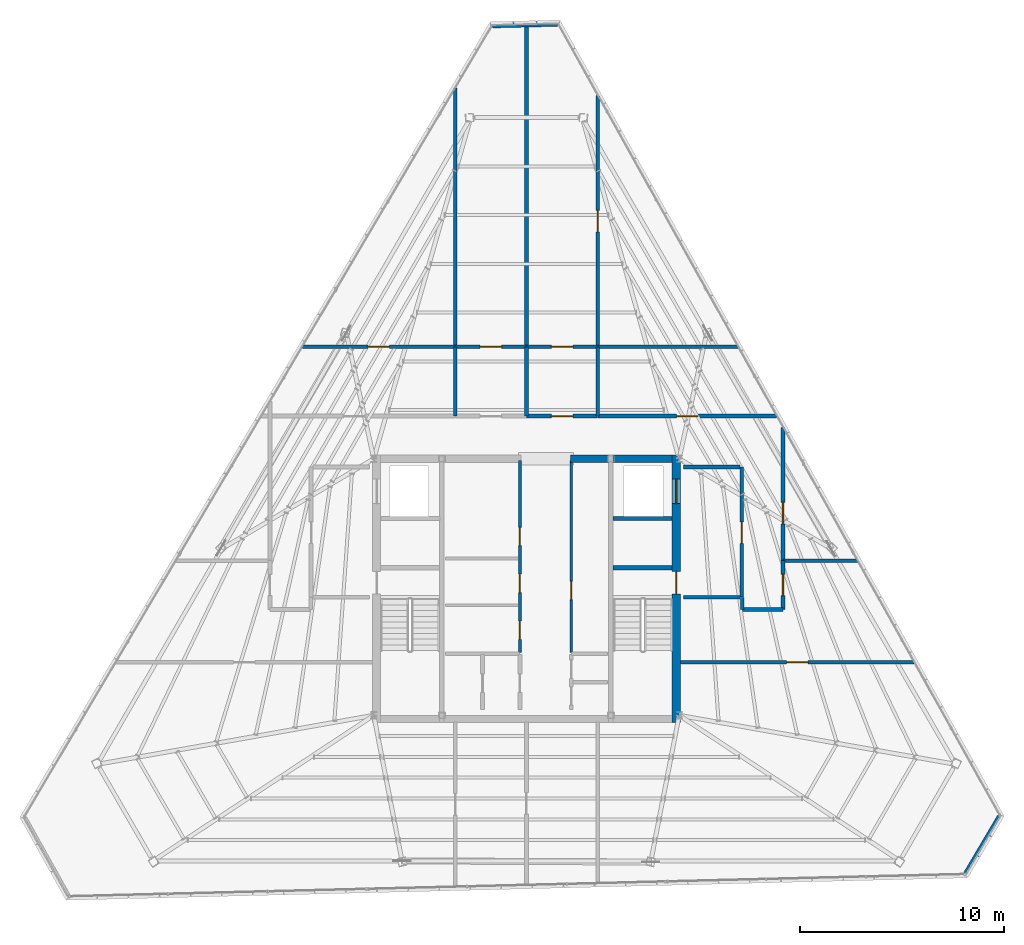
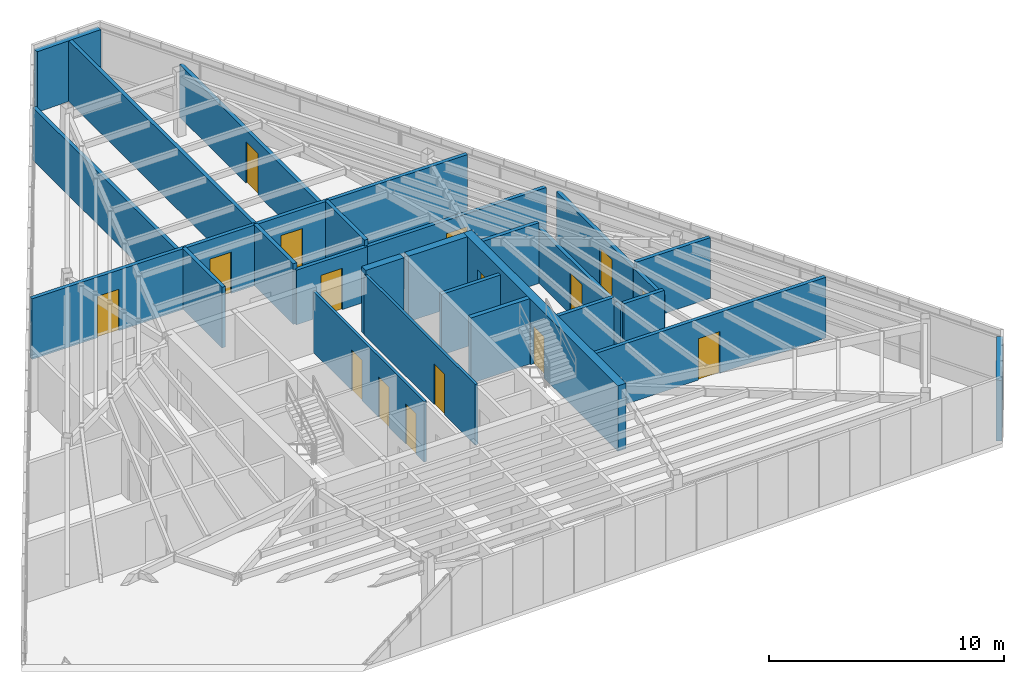
# One storey, part 44 of 48: 30 walls, 16 doors, 16 openings.
"""IFC4 building model written with IfcOpenShell, lengths in metres."""

from ifc_helpers import new_model, si_unit, direction, frame, frame_2d, origin, place, context, subcontext, project, spatial, rectangle, extrude, material, layer, layer_set, type_object, element, fill, save


model = new_model("IFC4")

# Units and contexts
model_context = context("Model", 3, precision=1e-05, world=origin(), true_north=direction((0.0, 1.0)))
body_context = subcontext(model_context, "Body", "Model", "MODEL_VIEW")
ifc_project = project(units=[si_unit("LENGTHUNIT", "METRE"), si_unit("AREAUNIT", "SQUARE_METRE"), si_unit("VOLUMEUNIT", "CUBIC_METRE"), si_unit("PLANEANGLEUNIT", "RADIAN"), si_unit("MASSUNIT", "GRAM", prefix="KILO")], contexts=[model_context])

# Site, building, storey
site_placement = place(None, origin())
site = spatial("IfcSite", under=ifc_project, at=site_placement, CompositionType="ELEMENT")
building_placement = place(site_placement, origin())
building = spatial("IfcBuilding", under=site, at=building_placement, Name="Caelisora Broadcast Tower", CompositionType="ELEMENT")
storey_placement = place(building_placement, frame((0.0, 0.0, 300.0)))
storey = spatial("IfcBuildingStorey", under=building, at=storey_placement, Name="L79", CompositionType="ELEMENT", Elevation=300.0)

# Wall, openings, doors
ifc_material_1 = material(Name="Concrete 40 MPa (AS 3600 N40)", Category="concrete")
ifc_layer_1 = layer(ifc_material_1, 0.39990234375, Name="Concrete 40 MPa (AS 3600 N40)")
ifc_layer_set_1 = layer_set([ifc_layer_1], Name="Concrete 40 MPa (AS 3600 N40)")
wall_type_1 = type_object("IfcWallType", Name="CW3", PredefinedType="SHEAR", material=ifc_layer_set_1)
wall_1_placement = place(storey_placement, frame((45.360107421875, 17.050048828125, 0.0), z_axis=(0.0, 0.0, 1.0), x_axis=(0.0, 1.0, 0.0)))
wall_1 = element("IfcWall", 1, at=wall_1_placement, inside=storey, type_object=wall_type_1, Name="L79 core shear wall CW3", PredefinedType="SHEAR", context=body_context, shape_type="SweptSolid", body=[
    extrude(rectangle(XDim=13.125, YDim=0.39990234375, at=frame_2d((6.5625, 0.0))), origin(), (0.0, 0.0, 1.0), 3.39990234375),
])
opening_1_placement = place(wall_1_placement, frame((6.300048828125, 0.0, 0.0)))
opening_1 = element("IfcOpeningElement", 2, at=opening_1_placement, cuts=wall_1, Name="Opening FD04", PredefinedType="OPENING", context=body_context, shape_type="SweptSolid", body=[
    extrude(rectangle(XDim=1.1201171875, YDim=2.14990234375, at=frame_2d((0.56005859375, 1.074951171875))), frame((0.0, 0.2119140625, 0.0), z_axis=(0.0, -1.0, 0.0), x_axis=(1.0, 0.0, 0.0)), (0.0, 0.0, 1.0), 0.423828125),
])
opening_2_placement = place(wall_1_placement, frame((10.75, 0.0, 0.0)))
opening_2 = element("IfcOpeningElement", 3, at=opening_2_placement, cuts=wall_1, Name="Opening LD04", PredefinedType="OPENING", context=body_context, shape_type="SweptSolid", body=[
    extrude(rectangle(XDim=1.199951171875, YDim=2.199951171875, at=frame_2d((0.60009765625, 1.10009765625))), frame((0.0, 0.2119140625, 0.0), z_axis=(0.0, -1.0, 0.0), x_axis=(1.0, 0.0, 0.0)), (0.0, 0.0, 1.0), 0.423828125),
])
ifc_material_2 = material(Name="Pressurised Fire-Isolated Stair Door", Category="steel")
door_type_1 = type_object("IfcDoorType", Name="FD04", OperationType="NOTDEFINED", PredefinedType="DOOR", material=ifc_material_2)
door_1_placement = place(opening_1_placement, origin())
door_1 = element("IfcDoor", 4, at=door_1_placement, inside=storey, type_object=door_type_1, Name="L79 door FD04 (L79-DR-ST2)", OperationType="SINGLE_SWING_RIGHT", OverallHeight=2.14990234375, OverallWidth=1.1201171875, PredefinedType="DOOR", context=body_context, shape_type="SweptSolid", body=[
    extrude(rectangle(XDim=1.1201171875, YDim=2.14990234375, at=frame_2d((0.56005859375, 1.074951171875))), frame((0.0, 0.02490234375, 0.0), z_axis=(0.0, -1.0, 0.0), x_axis=(1.0, 0.0, 0.0)), (0.0, 0.0, 1.0), 0.050048828125),
])
fill(opening_1, door_1)
ifc_material_3 = material(Name="Emergency Firefighting Lift Sliding Landing Door", Category="steel")
door_type_2 = type_object("IfcDoorType", Name="LD04", OperationType="NOTDEFINED", PredefinedType="DOOR", material=ifc_material_3)
door_2_placement = place(opening_2_placement, origin())
door_2 = element("IfcDoor", 5, at=door_2_placement, inside=storey, type_object=door_type_2, Name="L79 door LD04 (L79-LD-FFL2)", OperationType="SLIDING_TO_RIGHT", OverallHeight=2.199951171875, OverallWidth=1.199951171875, PredefinedType="DOOR", context=body_context, shape_type="SweptSolid", body=[
    extrude(rectangle(XDim=1.199951171875, YDim=2.199951171875, at=frame_2d((0.60009765625, 1.10009765625))), frame((0.0, 0.02490234375, 0.0), z_axis=(0.0, -1.0, 0.0), x_axis=(1.0, 0.0, 0.0)), (0.0, 0.0, 1.0), 0.050048828125),
])
fill(opening_2, door_2)

# Walls
ifc_layer_2 = layer(ifc_material_1, 0.35009765625, Name="Concrete 40 MPa (AS 3600 N40)")
ifc_layer_set_2 = layer_set([ifc_layer_2], Name="Concrete 40 MPa (AS 3600 N40)")
wall_type_2 = type_object("IfcWallType", Name="CW6", PredefinedType="SHEAR", material=ifc_layer_set_2)
wall_2_placement = place(storey_placement, frame((40.159912109375, 30.0, 0.0), z_axis=(0.0, 0.0, 1.0), x_axis=(1.0, 0.0, 0.0)))
element("IfcWall", 6, at=wall_2_placement, inside=storey, type_object=wall_type_2, Name="L79 core shear wall CW6", PredefinedType="SHEAR", context=body_context, shape_type="SweptSolid", body=[
    extrude(rectangle(XDim=1.880126953125, YDim=0.35009765625, at=frame_2d((0.93994140625, 0.0))), origin(), (0.0, 0.0, 1.0), 3.39990234375),
])
wall_3_placement = place(storey_placement, frame((42.260009765625, 30.0, 0.0), z_axis=(0.0, 0.0, 1.0), x_axis=(1.0, 0.0, 0.0)))
element("IfcWall", 7, at=wall_3_placement, inside=storey, type_object=wall_type_2, Name="L79 core shear wall CW6", PredefinedType="SHEAR", context=body_context, shape_type="SweptSolid", body=[
    extrude(rectangle(XDim=2.89990234375, YDim=0.35009765625, at=frame_2d((1.449951171875, 0.0))), origin(), (0.0, 0.0, 1.0), 3.39990234375),
])
ifc_material_4 = material(Name="Concrete 50 MPa (AS 3600 S50)", Category="concrete")
ifc_layer_3 = layer(ifc_material_4, 0.219970703125, Name="Concrete 50 MPa (AS 3600 S50)")
ifc_layer_set_3 = layer_set([ifc_layer_3], Name="Concrete 50 MPa (AS 3600 S50)")
wall_type_3 = type_object("IfcWallType", Name="CW7", PredefinedType="SHEAR", material=ifc_layer_set_3)
wall_4_placement = place(storey_placement, frame((42.260009765625, 24.639892578125, 0.0), z_axis=(0.0, 0.0, 1.0), x_axis=(1.0, 0.0, 0.0)))
element("IfcWall", 8, at=wall_4_placement, inside=storey, type_object=wall_type_3, Name="L79 core shear wall CW7", PredefinedType="SHEAR", context=body_context, shape_type="SweptSolid", body=[
    extrude(rectangle(XDim=2.89990234375, YDim=0.219970703125, at=frame_2d((1.449951171875, 0.0))), origin(), (0.0, 0.0, 1.0), 3.39990234375),
])
ifc_material_5 = material(Name="Fire-Rated Acoustic Plant Enclosure Wall", Category="masonry")
ifc_layer_4 = layer(ifc_material_5, 0.260009765625, Name="Fire-Rated Acoustic Plant Enclosure Wall")
ifc_layer_set_4 = layer_set([ifc_layer_4], Name="Fire-Rated Acoustic Plant Enclosure Wall")
wall_type_4 = type_object("IfcWallType", Name="EW2", PredefinedType="STANDARD", material=ifc_layer_set_4)
wall_5_placement = place(storey_placement, frame((61.247802734375, 12.42431640625, 0.0), z_axis=(0.0, 0.0, 1.0), x_axis=(-0.508979053277, -0.860778905019, 0.0)))
element("IfcWall", 9, at=wall_5_placement, inside=storey, type_object=wall_type_4, Name="L79 exterior envelope wall EW2", PredefinedType="STANDARD", context=body_context, shape_type="SweptSolid", body=[
    extrude(rectangle(XDim=3.26025390625, YDim=0.260009765625, at=frame_2d((1.630126953125, 0.0))), origin(), (0.0, 0.0, 1.0), 3.14990234375),
])
wall_6_placement = place(storey_placement, frame((36.341064453125, 51.291748046875, 0.0), z_axis=(0.0, 0.0, 1.0), x_axis=(0.999692817097, 0.024784500085, 0.0)))
element("IfcWall", 10, at=wall_6_placement, inside=storey, type_object=wall_type_4, Name="L79 exterior envelope wall EW2", PredefinedType="STANDARD", context=body_context, shape_type="SweptSolid", body=[
    extrude(rectangle(XDim=3.171875, YDim=0.260009765625, at=frame_2d((1.5859375, 0.0))), origin(), (0.0, 0.0, 1.0), 3.14990234375),
])

# Wall, opening, door
ifc_material_6 = material(Name="Fire-Rated Gypsum Shaft and Compartment Wall", Category="gypsum")
ifc_layer_5 = layer(ifc_material_6, 0.179931640625, Name="Fire-Rated Gypsum Shaft and Compartment Wall")
ifc_layer_set_5 = layer_set([ifc_layer_5], Name="Fire-Rated Gypsum Shaft and Compartment Wall")
wall_type_5 = type_object("IfcWallType", Name="PW2", PredefinedType="PARTITIONING", material=ifc_layer_set_5)
wall_7_placement = place(storey_placement, frame((48.580078125, 23.199951171875, 0.0), z_axis=(0.0, 0.0, 1.0), x_axis=(0.0, 1.0, 0.0)))
wall_7 = element("IfcWall", 11, at=wall_7_placement, inside=storey, type_object=wall_type_5, Name="L79 fire compartment wall PW2", PredefinedType="PARTITIONING", context=body_context, shape_type="SweptSolid", body=[
    extrude(rectangle(XDim=6.400146484375, YDim=0.179931640625, at=frame_2d((3.2001953125, 0.0))), origin(), (0.0, 0.0, 1.0), 2.8349609375),
])
opening_3_placement = place(wall_7_placement, frame((2.64990234375, 0.0, 0.0)))
opening_3 = element("IfcOpeningElement", 12, at=opening_3_placement, cuts=wall_7, Name="Opening FD02", PredefinedType="OPENING", context=body_context, shape_type="SweptSolid", body=[
    extrude(rectangle(XDim=1.050048828125, YDim=2.14990234375, at=frame_2d((0.52490234375, 1.074951171875))), frame((0.0, 0.10205078125, 0.0), z_axis=(0.0, -1.0, 0.0), x_axis=(1.0, 0.0, 0.0)), (0.0, 0.0, 1.0), 0.203857421875),
])
ifc_material_7 = material(Name="Single-Leaf Steel Fire Lobby Door", Category="steel")
door_type_3 = type_object("IfcDoorType", Name="FD02", OperationType="NOTDEFINED", PredefinedType="DOOR", material=ifc_material_7)
door_3_placement = place(opening_3_placement, origin())
door_3 = element("IfcDoor", 13, at=door_3_placement, inside=storey, type_object=door_type_3, Name="L79 door FD02 (L79-DR-P04D1)", OperationType="SINGLE_SWING_LEFT", OverallHeight=2.14990234375, OverallWidth=1.050048828125, PredefinedType="DOOR", context=body_context, shape_type="SweptSolid", body=[
    extrude(rectangle(XDim=1.050048828125, YDim=2.14990234375, at=frame_2d((0.52490234375, 1.074951171875))), frame((0.0, 0.02490234375, 0.0), z_axis=(0.0, -1.0, 0.0), x_axis=(1.0, 0.0, 0.0)), (0.0, 0.0, 1.0), 0.050048828125),
])
fill(opening_3, door_3)

# Walls
for number, where, z_axis, x_axis, name in (
    (14, (45.719970703125, 23.199951171875, 0.0), (0.0, 0.0, 1.0), (1.0, 0.0, 0.0), "L79 fire compartment wall PW2"),
    (15, (45.719970703125, 29.60009765625, 0.0), (0.0, 0.0, 1.0), (1.0, 0.0, 0.0), "L79 fire compartment wall PW2"),
):
    element("IfcWall", number, at=place(storey_placement, frame(where, z_axis=z_axis, x_axis=x_axis)), inside=storey, type_object=wall_type_5, Name=name, PredefinedType="PARTITIONING", context=body_context, shape_type="SweptSolid", body=[
        extrude(rectangle(XDim=2.760009765625, YDim=0.179931640625, at=frame_2d((1.3798828125, 0.0))), origin(), (0.0, 0.0, 1.0), 3.14990234375),
    ])
wall_8_placement = place(storey_placement, frame((42.239990234375, 27.070068359375, 0.0), z_axis=(0.0, 0.0, 1.0), x_axis=(1.0, 0.0, 0.0)))
element("IfcWall", 16, at=wall_8_placement, inside=storey, type_object=wall_type_5, Name="L79 fire compartment wall PW2", PredefinedType="PARTITIONING", context=body_context, shape_type="SweptSolid", body=[
    extrude(rectangle(XDim=2.89990234375, YDim=0.179931640625, at=frame_2d((1.449951171875, 0.0))), origin(), (0.0, 0.0, 1.0), 3.14990234375),
])
wall_9_placement = place(storey_placement, frame((38.0, 35.5048828125, 0.0), z_axis=(0.0, 0.0, 1.0), x_axis=(0.0, 1.0, 0.0)))
element("IfcWall", 17, at=wall_9_placement, inside=storey, type_object=wall_type_5, Name="L79 fire compartment wall PW2", PredefinedType="PARTITIONING", context=body_context, shape_type="SweptSolid", body=[
    extrude(rectangle(XDim=15.815185546875, YDim=0.179931640625, at=frame_2d((7.90771484375, 0.0))), origin(), (0.0, 0.0, 1.0), 3.14990234375),
])
wall_10_placement = place(storey_placement, frame((34.5, 35.5048828125, 0.0), z_axis=(0.0, 0.0, 1.0), x_axis=(0.0, 1.0, 0.0)))
element("IfcWall", 18, at=wall_10_placement, inside=storey, type_object=wall_type_5, Name="L79 fire compartment wall PW2", PredefinedType="PARTITIONING", context=body_context, shape_type="SweptSolid", body=[
    extrude(rectangle(XDim=12.705078125, YDim=0.179931640625, at=frame_2d((6.3525390625, 0.0))), origin(), (0.0, 0.0, 1.0), 2.735107421875),
])

# Wall, opening, door
wall_11_placement = place(storey_placement, frame((41.5, 35.5048828125, 0.0), z_axis=(0.0, 0.0, 1.0), x_axis=(0.0, 1.0, 0.0)))
wall_11 = element("IfcWall", 19, at=wall_11_placement, inside=storey, type_object=wall_type_5, Name="L79 fire compartment wall PW2", PredefinedType="PARTITIONING", context=body_context, shape_type="SweptSolid", body=[
    extrude(rectangle(XDim=12.335205078125, YDim=0.179931640625, at=frame_2d((6.16748046875, 0.0))), origin(), (0.0, 0.0, 1.0), 2.735107421875),
])
opening_4_placement = place(wall_11_placement, frame((5.64306640625, 0.0, 0.0)))
opening_4 = element("IfcOpeningElement", 20, at=opening_4_placement, cuts=wall_11, Name="Opening FD02", PredefinedType="OPENING", context=body_context, shape_type="SweptSolid", body=[
    extrude(rectangle(XDim=1.050048828125, YDim=2.14990234375, at=frame_2d((0.52490234375, 1.074951171875))), frame((0.0, 0.10205078125, 0.0), z_axis=(0.0, -1.0, 0.0), x_axis=(1.0, 0.0, 0.0)), (0.0, 0.0, 1.0), 0.203857421875),
])
door_4_placement = place(opening_4_placement, origin())
door_4 = element("IfcDoor", 21, at=door_4_placement, inside=storey, type_object=door_type_3, Name="L79 door FD02 (L79-DR-P22D1)", OperationType="SINGLE_SWING_LEFT", OverallHeight=2.14990234375, OverallWidth=1.050048828125, PredefinedType="DOOR", context=body_context, shape_type="SweptSolid", body=[
    extrude(rectangle(XDim=1.050048828125, YDim=2.14990234375, at=frame_2d((0.52490234375, 1.074951171875))), frame((0.0, 0.02490234375, 0.0), z_axis=(0.0, -1.0, 0.0), x_axis=(1.0, 0.0, 0.0)), (0.0, 0.0, 1.0), 0.050048828125),
])
fill(opening_4, door_4)

wall_12_placement = place(storey_placement, frame((45.554931640625, 20.0, 0.0), z_axis=(0.0, 0.0, 1.0), x_axis=(1.0, 0.0, 0.0)))
wall_12 = element("IfcWall", 22, at=wall_12_placement, inside=storey, type_object=wall_type_5, Name="L79 fire compartment wall PW2", PredefinedType="PARTITIONING", context=body_context, shape_type="SweptSolid", body=[
    extrude(rectangle(XDim=11.485107421875, YDim=0.179931640625, at=frame_2d((5.74267578125, 0.0))), origin(), (0.0, 0.0, 1.0), 3.14990234375),
])
opening_5_placement = place(wall_12_placement, frame((5.217041015625, 0.0, 0.0)))
opening_5 = element("IfcOpeningElement", 23, at=opening_5_placement, cuts=wall_12, Name="Opening FD02", PredefinedType="OPENING", context=body_context, shape_type="SweptSolid", body=[
    extrude(rectangle(XDim=1.050048828125, YDim=2.14990234375, at=frame_2d((0.52490234375, 1.074951171875))), frame((0.0, 0.10205078125, 0.0), z_axis=(0.0, -1.0, 0.0), x_axis=(1.0, 0.0, 0.0)), (0.0, 0.0, 1.0), 0.203857421875),
])
door_5_placement = place(opening_5_placement, origin())
door_5 = element("IfcDoor", 24, at=door_5_placement, inside=storey, type_object=door_type_3, Name="L79 door FD02 (L79-DR-P23D1)", OperationType="SINGLE_SWING_RIGHT", OverallHeight=2.14990234375, OverallWidth=1.050048828125, PredefinedType="DOOR", context=body_context, shape_type="SweptSolid", body=[
    extrude(rectangle(XDim=1.050048828125, YDim=2.14990234375, at=frame_2d((0.52490234375, 1.074951171875))), frame((0.0, 0.02490234375, 0.0), z_axis=(0.0, -1.0, 0.0), x_axis=(1.0, 0.0, 0.0)), (0.0, 0.0, 1.0), 0.050048828125),
])
fill(opening_5, door_5)

wall_13_placement = place(storey_placement, frame((41.5048828125, 32.10009765625, 0.0), z_axis=(0.0, 0.0, 1.0), x_axis=(1.0, 0.0, 0.0)))
wall_13 = element("IfcWall", 25, at=wall_13_placement, inside=storey, type_object=wall_type_5, Name="L79 fire compartment wall PW2", PredefinedType="PARTITIONING", context=body_context, shape_type="SweptSolid", body=[
    extrude(rectangle(XDim=8.78515625, YDim=0.179931640625, at=frame_2d((4.392578125, 0.0))), origin(), (0.0, 0.0, 1.0), 2.8349609375),
])
opening_6_placement = place(wall_13_placement, frame((3.866943359375, 0.0, 0.0)))
opening_6 = element("IfcOpeningElement", 26, at=opening_6_placement, cuts=wall_13, Name="Opening FD02", PredefinedType="OPENING", context=body_context, shape_type="SweptSolid", body=[
    extrude(rectangle(XDim=1.050048828125, YDim=2.14990234375, at=frame_2d((0.52490234375, 1.074951171875))), frame((0.0, 0.10205078125, 0.0), z_axis=(0.0, -1.0, 0.0), x_axis=(1.0, 0.0, 0.0)), (0.0, 0.0, 1.0), 0.203857421875),
])
door_6_placement = place(opening_6_placement, origin())
door_6 = element("IfcDoor", 27, at=door_6_placement, inside=storey, type_object=door_type_3, Name="L79 door FD02 (L79-DR-P25D1)", OperationType="SINGLE_SWING_RIGHT", OverallHeight=2.14990234375, OverallWidth=1.050048828125, PredefinedType="DOOR", context=body_context, shape_type="SweptSolid", body=[
    extrude(rectangle(XDim=1.050048828125, YDim=2.14990234375, at=frame_2d((0.52490234375, 1.074951171875))), frame((0.0, 0.02490234375, 0.0), z_axis=(0.0, -1.0, 0.0), x_axis=(1.0, 0.0, 0.0)), (0.0, 0.0, 1.0), 0.050048828125),
])
fill(opening_6, door_6)

wall_14_placement = place(storey_placement, frame((26.989990234375, 35.5, 0.0), z_axis=(0.0, 0.0, 1.0), x_axis=(1.0, 0.0, 0.0)))
wall_14 = element("IfcWall", 28, at=wall_14_placement, inside=storey, type_object=wall_type_5, Name="L79 fire compartment wall PW2", PredefinedType="PARTITIONING", context=body_context, shape_type="SweptSolid", body=[
    extrude(rectangle(XDim=7.505126953125, YDim=0.179931640625, at=frame_2d((3.75244140625, 0.0))), origin(), (0.0, 0.0, 1.0), 3.14990234375),
])
opening_7_placement = place(wall_14_placement, frame((3.22705078125, 0.0, 0.0)))
opening_7 = element("IfcOpeningElement", 29, at=opening_7_placement, cuts=wall_14, Name="Opening FD02", PredefinedType="OPENING", context=body_context, shape_type="SweptSolid", body=[
    extrude(rectangle(XDim=1.050048828125, YDim=2.14990234375, at=frame_2d((0.52490234375, 1.074951171875))), frame((0.0, 0.10205078125, 0.0), z_axis=(0.0, -1.0, 0.0), x_axis=(1.0, 0.0, 0.0)), (0.0, 0.0, 1.0), 0.203857421875),
])
door_7_placement = place(opening_7_placement, origin())
door_7 = element("IfcDoor", 30, at=door_7_placement, inside=storey, type_object=door_type_3, Name="L79 door FD02 (L79-DR-P29D1)", OperationType="SINGLE_SWING_LEFT", OverallHeight=2.14990234375, OverallWidth=1.050048828125, PredefinedType="DOOR", context=body_context, shape_type="SweptSolid", body=[
    extrude(rectangle(XDim=1.050048828125, YDim=2.14990234375, at=frame_2d((0.52490234375, 1.074951171875))), frame((0.0, 0.02490234375, 0.0), z_axis=(0.0, -1.0, 0.0), x_axis=(1.0, 0.0, 0.0)), (0.0, 0.0, 1.0), 0.050048828125),
])
fill(opening_7, door_7)

# Wall
wall_15_placement = place(storey_placement, frame((41.5048828125, 35.5, 0.0), z_axis=(0.0, 0.0, 1.0), x_axis=(1.0, 0.0, 0.0)))
element("IfcWall", 31, at=wall_15_placement, inside=storey, type_object=wall_type_5, Name="L79 fire compartment wall PW2", PredefinedType="PARTITIONING", context=body_context, shape_type="SweptSolid", body=[
    extrude(rectangle(XDim=6.885009765625, YDim=0.179931640625, at=frame_2d((3.4423828125, 0.0))), origin(), (0.0, 0.0, 1.0), 3.14990234375),
])

# Wall, opening, door
wall_16_placement = place(storey_placement, frame((50.60009765625, 25.0048828125, 0.0), z_axis=(0.0, 0.0, 1.0), x_axis=(0.0, 1.0, 0.0)))
wall_16 = element("IfcWall", 32, at=wall_16_placement, inside=storey, type_object=wall_type_5, Name="L79 fire compartment wall PW2", PredefinedType="PARTITIONING", context=body_context, shape_type="SweptSolid", body=[
    extrude(rectangle(XDim=6.53515625, YDim=0.179931640625, at=frame_2d((3.267578125, 0.0))), origin(), (0.0, 0.0, 1.0), 2.8349609375),
])
opening_8_placement = place(wall_16_placement, frame((1.800048828125, 0.0, 0.0)))
opening_8 = element("IfcOpeningElement", 33, at=opening_8_placement, cuts=wall_16, Name="Opening FD02", PredefinedType="OPENING", context=body_context, shape_type="SweptSolid", body=[
    extrude(rectangle(XDim=1.050048828125, YDim=2.14990234375, at=frame_2d((0.52490234375, 1.074951171875))), frame((0.0, 0.10205078125, 0.0), z_axis=(0.0, -1.0, 0.0), x_axis=(1.0, 0.0, 0.0)), (0.0, 0.0, 1.0), 0.203857421875),
])
door_8_placement = place(opening_8_placement, origin())
door_8 = element("IfcDoor", 34, at=door_8_placement, inside=storey, type_object=door_type_3, Name="L79 door FD02 (L79-DR-P32D1)", OperationType="SINGLE_SWING_RIGHT", OverallHeight=2.14990234375, OverallWidth=1.050048828125, PredefinedType="DOOR", context=body_context, shape_type="SweptSolid", body=[
    extrude(rectangle(XDim=1.050048828125, YDim=2.14990234375, at=frame_2d((0.52490234375, 1.074951171875))), frame((0.0, 0.02490234375, 0.0), z_axis=(0.0, -1.0, 0.0), x_axis=(1.0, 0.0, 0.0)), (0.0, 0.0, 1.0), 0.050048828125),
])
fill(opening_8, door_8)

# Wall
wall_17_placement = place(storey_placement, frame((50.60498046875, 25.0, 0.0), z_axis=(0.0, 0.0, 1.0), x_axis=(1.0, 0.0, 0.0)))
element("IfcWall", 35, at=wall_17_placement, inside=storey, type_object=wall_type_5, Name="L79 fire compartment wall PW2", PredefinedType="PARTITIONING", context=body_context, shape_type="SweptSolid", body=[
    extrude(rectangle(XDim=3.64501953125, YDim=0.179931640625, at=frame_2d((1.822509765625, 0.0))), origin(), (0.0, 0.0, 1.0), 3.14990234375),
])

# Wall, opening, door
wall_18_placement = place(storey_placement, frame((38.0048828125, 32.10009765625, 0.0), z_axis=(0.0, 0.0, 1.0), x_axis=(1.0, 0.0, 0.0)))
wall_18 = element("IfcWall", 36, at=wall_18_placement, inside=storey, type_object=wall_type_5, Name="L79 fire compartment wall PW2", PredefinedType="PARTITIONING", context=body_context, shape_type="SweptSolid", body=[
    extrude(rectangle(XDim=3.490234375, YDim=0.179931640625, at=frame_2d((1.7451171875, 0.0))), origin(), (0.0, 0.0, 1.0), 2.8349609375),
])
opening_9_placement = place(wall_18_placement, frame((1.219970703125, 0.0, 0.0)))
opening_9 = element("IfcOpeningElement", 37, at=opening_9_placement, cuts=wall_18, Name="Opening FD02", PredefinedType="OPENING", context=body_context, shape_type="SweptSolid", body=[
    extrude(rectangle(XDim=1.050048828125, YDim=2.14990234375, at=frame_2d((0.52490234375, 1.074951171875))), frame((0.0, 0.10205078125, 0.0), z_axis=(0.0, -1.0, 0.0), x_axis=(1.0, 0.0, 0.0)), (0.0, 0.0, 1.0), 0.203857421875),
])
door_9_placement = place(opening_9_placement, origin())
door_9 = element("IfcDoor", 38, at=door_9_placement, inside=storey, type_object=door_type_3, Name="L79 door FD02 (L79-DR-P36D1)", OperationType="SINGLE_SWING_RIGHT", OverallHeight=2.14990234375, OverallWidth=1.050048828125, PredefinedType="DOOR", context=body_context, shape_type="SweptSolid", body=[
    extrude(rectangle(XDim=1.050048828125, YDim=2.14990234375, at=frame_2d((0.52490234375, 1.074951171875))), frame((0.0, 0.02490234375, 0.0), z_axis=(0.0, -1.0, 0.0), x_axis=(1.0, 0.0, 0.0)), (0.0, 0.0, 1.0), 0.050048828125),
])
fill(opening_9, door_9)

wall_19_placement = place(storey_placement, frame((34.5048828125, 35.5, 0.0), z_axis=(0.0, 0.0, 1.0), x_axis=(1.0, 0.0, 0.0)))
wall_19 = element("IfcWall", 39, at=wall_19_placement, inside=storey, type_object=wall_type_5, Name="L79 fire compartment wall PW2", PredefinedType="PARTITIONING", context=body_context, shape_type="SweptSolid", body=[
    extrude(rectangle(XDim=3.490234375, YDim=0.179931640625, at=frame_2d((1.7451171875, 0.0))), origin(), (0.0, 0.0, 1.0), 3.14990234375),
])
opening_10_placement = place(wall_19_placement, frame((1.219970703125, 0.0, 0.0)))
opening_10 = element("IfcOpeningElement", 40, at=opening_10_placement, cuts=wall_19, Name="Opening FD02", PredefinedType="OPENING", context=body_context, shape_type="SweptSolid", body=[
    extrude(rectangle(XDim=1.050048828125, YDim=2.14990234375, at=frame_2d((0.52490234375, 1.074951171875))), frame((0.0, 0.10205078125, 0.0), z_axis=(0.0, -1.0, 0.0), x_axis=(1.0, 0.0, 0.0)), (0.0, 0.0, 1.0), 0.203857421875),
])
door_10_placement = place(opening_10_placement, origin())
door_10 = element("IfcDoor", 41, at=door_10_placement, inside=storey, type_object=door_type_3, Name="L79 door FD02 (L79-DR-P37D1)", OperationType="SINGLE_SWING_LEFT", OverallHeight=2.14990234375, OverallWidth=1.050048828125, PredefinedType="DOOR", context=body_context, shape_type="SweptSolid", body=[
    extrude(rectangle(XDim=1.050048828125, YDim=2.14990234375, at=frame_2d((0.52490234375, 1.074951171875))), frame((0.0, 0.02490234375, 0.0), z_axis=(0.0, -1.0, 0.0), x_axis=(1.0, 0.0, 0.0)), (0.0, 0.0, 1.0), 0.050048828125),
])
fill(opening_10, door_10)

wall_20_placement = place(storey_placement, frame((38.0048828125, 35.5, 0.0), z_axis=(0.0, 0.0, 1.0), x_axis=(1.0, 0.0, 0.0)))
wall_20 = element("IfcWall", 42, at=wall_20_placement, inside=storey, type_object=wall_type_5, Name="L79 fire compartment wall PW2", PredefinedType="PARTITIONING", context=body_context, shape_type="SweptSolid", body=[
    extrude(rectangle(XDim=3.490234375, YDim=0.179931640625, at=frame_2d((1.7451171875, 0.0))), origin(), (0.0, 0.0, 1.0), 3.14990234375),
])
opening_11_placement = place(wall_20_placement, frame((1.219970703125, 0.0, 0.0)))
opening_11 = element("IfcOpeningElement", 43, at=opening_11_placement, cuts=wall_20, Name="Opening FD02", PredefinedType="OPENING", context=body_context, shape_type="SweptSolid", body=[
    extrude(rectangle(XDim=1.050048828125, YDim=2.14990234375, at=frame_2d((0.52490234375, 1.074951171875))), frame((0.0, 0.10205078125, 0.0), z_axis=(0.0, -1.0, 0.0), x_axis=(1.0, 0.0, 0.0)), (0.0, 0.0, 1.0), 0.203857421875),
])
door_11_placement = place(opening_11_placement, origin())
door_11 = element("IfcDoor", 44, at=door_11_placement, inside=storey, type_object=door_type_3, Name="L79 door FD02 (L79-DR-P38D1)", OperationType="SINGLE_SWING_RIGHT", OverallHeight=2.14990234375, OverallWidth=1.050048828125, PredefinedType="DOOR", context=body_context, shape_type="SweptSolid", body=[
    extrude(rectangle(XDim=1.050048828125, YDim=2.14990234375, at=frame_2d((0.52490234375, 1.074951171875))), frame((0.0, 0.02490234375, 0.0), z_axis=(0.0, -1.0, 0.0), x_axis=(1.0, 0.0, 0.0)), (0.0, 0.0, 1.0), 0.050048828125),
])
fill(opening_11, door_11)

# Walls
for number, where, z_axis, x_axis, name in (
    (45, (34.5, 32.10498046875, 0.0), (0.0, 0.0, 1.0), (0.0, 1.0, 0.0), "L79 fire compartment wall PW2"),
    (46, (38.0, 32.10498046875, 0.0), (0.0, 0.0, 1.0), (0.0, 1.0, 0.0), "L79 fire compartment wall PW2"),
    (47, (41.5, 32.10498046875, 0.0), (0.0, 0.0, 1.0), (0.0, 1.0, 0.0), "L79 fire compartment wall PW2"),
):
    element("IfcWall", number, at=place(storey_placement, frame(where, z_axis=z_axis, x_axis=x_axis)), inside=storey, type_object=wall_type_5, Name=name, PredefinedType="PARTITIONING", context=body_context, shape_type="SweptSolid", body=[
        extrude(rectangle(XDim=3.39013671875, YDim=0.179931640625, at=frame_2d((1.695068359375, 0.0))), origin(), (0.0, 0.0, 1.0), 3.14990234375),
    ])

# Wall, opening, door
wall_21_placement = place(storey_placement, frame((50.60009765625, 22.60498046875, 0.0), z_axis=(0.0, 0.0, 1.0), x_axis=(0.0, 1.0, 0.0)))
wall_21 = element("IfcWall", 48, at=wall_21_placement, inside=storey, type_object=wall_type_5, Name="L79 fire compartment wall PW2", PredefinedType="PARTITIONING", context=body_context, shape_type="SweptSolid", body=[
    extrude(rectangle(XDim=2.39013671875, YDim=0.179931640625, at=frame_2d((1.195068359375, 0.0))), origin(), (0.0, 0.0, 1.0), 2.8349609375),
])
opening_12_placement = place(wall_21_placement, frame((0.669921875, 0.0, 0.0)))
opening_12 = element("IfcOpeningElement", 49, at=opening_12_placement, cuts=wall_21, Name="Opening FD02", PredefinedType="OPENING", context=body_context, shape_type="SweptSolid", body=[
    extrude(rectangle(XDim=1.050048828125, YDim=2.14990234375, at=frame_2d((0.52490234375, 1.074951171875))), frame((0.0, 0.10205078125, 0.0), z_axis=(0.0, -1.0, 0.0), x_axis=(1.0, 0.0, 0.0)), (0.0, 0.0, 1.0), 0.203857421875),
])
door_12_placement = place(opening_12_placement, origin())
door_12 = element("IfcDoor", 50, at=door_12_placement, inside=storey, type_object=door_type_3, Name="L79 door FD02 (L79-DR-P44D1)", OperationType="SINGLE_SWING_LEFT", OverallHeight=2.14990234375, OverallWidth=1.050048828125, PredefinedType="DOOR", context=body_context, shape_type="SweptSolid", body=[
    extrude(rectangle(XDim=1.050048828125, YDim=2.14990234375, at=frame_2d((0.52490234375, 1.074951171875))), frame((0.0, 0.02490234375, 0.0), z_axis=(0.0, -1.0, 0.0), x_axis=(1.0, 0.0, 0.0)), (0.0, 0.0, 1.0), 0.050048828125),
])
fill(opening_12, door_12)

# Walls
wall_22_placement = place(storey_placement, frame((48.60498046875, 22.60009765625, 0.0), z_axis=(0.0, 0.0, 1.0), x_axis=(1.0, 0.0, 0.0)))
element("IfcWall", 51, at=wall_22_placement, inside=storey, type_object=wall_type_5, Name="L79 fire compartment wall PW2", PredefinedType="PARTITIONING", context=body_context, shape_type="SweptSolid", body=[
    extrude(rectangle(XDim=1.989990234375, YDim=0.179931640625, at=frame_2d((0.9951171875, 0.0))), origin(), (0.0, 0.0, 1.0), 3.14990234375),
])
wall_23_placement = place(storey_placement, frame((48.60009765625, 23.175048828125, 0.0), z_axis=(0.0, 0.0, 1.0), x_axis=(0.0, -1.0, 0.0)))
element("IfcWall", 52, at=wall_23_placement, inside=storey, type_object=wall_type_5, Name="L79 fire compartment wall PW2", PredefinedType="PARTITIONING", context=body_context, shape_type="SweptSolid", body=[
    extrude(rectangle(XDim=0.570068359375, YDim=0.179931640625, at=frame_2d((0.28515625, 0.0))), origin(), (0.0, 0.0, 1.0), 2.8349609375),
])

# Wall, openings, doors
ifc_material_8 = material(Name="Acoustic Steel-Stud Plasterboard Partition", Category="gypsum")
ifc_layer_6 = layer(ifc_material_8, 0.1298828125, Name="Acoustic Steel-Stud Plasterboard Partition")
ifc_layer_set_6 = layer_set([ifc_layer_6], Name="Acoustic Steel-Stud Plasterboard Partition")
wall_type_6 = type_object("IfcWallType", Name="PW3", PredefinedType="PARTITIONING", material=ifc_layer_set_6)
wall_24_placement = place(storey_placement, frame((37.679931640625, 20.47998046875, 0.0), z_axis=(0.0, 0.0, 1.0), x_axis=(0.0, 1.0, 0.0)))
wall_24 = element("IfcWall", 53, at=wall_24_placement, inside=storey, type_object=wall_type_6, Name="L79 internal partition PW3", PredefinedType="PARTITIONING", context=body_context, shape_type="SweptSolid", body=[
    extrude(rectangle(XDim=9.43994140625, YDim=0.1298828125, at=frame_2d((4.719970703125, 0.0))), origin(), (0.0, 0.0, 1.0), 3.14990234375),
])
opening_13_placement = place(wall_24_placement, frame((0.64990234375, 0.0, 0.0)))
opening_13 = element("IfcOpeningElement", 54, at=opening_13_placement, cuts=wall_24, Name="Opening FD03", PredefinedType="OPENING", context=body_context, shape_type="SweptSolid", body=[
    extrude(rectangle(XDim=0.89990234375, YDim=2.10009765625, at=frame_2d((0.449951171875, 1.050048828125))), frame((0.0, 0.076904296875, 0.0), z_axis=(0.0, -1.0, 0.0), x_axis=(1.0, 0.0, 0.0)), (0.0, 0.0, 1.0), 0.15380859375),
])
opening_14_placement = place(wall_24_placement, frame((2.949951171875, 0.0, 0.0)))
opening_14 = element("IfcOpeningElement", 55, at=opening_14_placement, cuts=wall_24, Name="Opening FD03", PredefinedType="OPENING", context=body_context, shape_type="SweptSolid", body=[
    extrude(rectangle(XDim=0.89990234375, YDim=2.10009765625, at=frame_2d((0.449951171875, 1.050048828125))), frame((0.0, 0.076904296875, 0.0), z_axis=(0.0, -1.0, 0.0), x_axis=(1.0, 0.0, 0.0)), (0.0, 0.0, 1.0), 0.15380859375),
])
opening_15_placement = place(wall_24_placement, frame((5.25, 0.0, 0.0)))
opening_15 = element("IfcOpeningElement", 56, at=opening_15_placement, cuts=wall_24, Name="Opening FD03", PredefinedType="OPENING", context=body_context, shape_type="SweptSolid", body=[
    extrude(rectangle(XDim=0.89990234375, YDim=2.10009765625, at=frame_2d((0.449951171875, 1.050048828125))), frame((0.0, 0.076904296875, 0.0), z_axis=(0.0, -1.0, 0.0), x_axis=(1.0, 0.0, 0.0)), (0.0, 0.0, 1.0), 0.15380859375),
])
ifc_material_9 = material(Name="Single-Leaf Steel Riser Fire Access Door", Category="steel")
door_type_4 = type_object("IfcDoorType", Name="FD03", OperationType="NOTDEFINED", PredefinedType="DOOR", material=ifc_material_9)
door_13_placement = place(opening_13_placement, origin())
door_13 = element("IfcDoor", 57, at=door_13_placement, inside=storey, type_object=door_type_4, Name="L79 door FD03 (L79-DR-P13D1)", OperationType="SINGLE_SWING_RIGHT", OverallHeight=2.10009765625, OverallWidth=0.89990234375, PredefinedType="DOOR", context=body_context, shape_type="SweptSolid", body=[
    extrude(rectangle(XDim=0.89990234375, YDim=2.10009765625, at=frame_2d((0.449951171875, 1.050048828125))), frame((0.0, 0.02490234375, 0.0), z_axis=(0.0, -1.0, 0.0), x_axis=(1.0, 0.0, 0.0)), (0.0, 0.0, 1.0), 0.050048828125),
])
fill(opening_13, door_13)
door_14_placement = place(opening_14_placement, origin())
door_14 = element("IfcDoor", 58, at=door_14_placement, inside=storey, type_object=door_type_4, Name="L79 door FD03 (L79-DR-P13D2)", OperationType="SINGLE_SWING_LEFT", OverallHeight=2.10009765625, OverallWidth=0.89990234375, PredefinedType="DOOR", context=body_context, shape_type="SweptSolid", body=[
    extrude(rectangle(XDim=0.89990234375, YDim=2.10009765625, at=frame_2d((0.449951171875, 1.050048828125))), frame((0.0, 0.02490234375, 0.0), z_axis=(0.0, -1.0, 0.0), x_axis=(1.0, 0.0, 0.0)), (0.0, 0.0, 1.0), 0.050048828125),
])
fill(opening_14, door_14)
door_15_placement = place(opening_15_placement, origin())
door_15 = element("IfcDoor", 59, at=door_15_placement, inside=storey, type_object=door_type_4, Name="L79 door FD03 (L79-DR-P13D3)", OperationType="SINGLE_SWING_RIGHT", OverallHeight=2.10009765625, OverallWidth=0.89990234375, PredefinedType="DOOR", context=body_context, shape_type="SweptSolid", body=[
    extrude(rectangle(XDim=0.89990234375, YDim=2.10009765625, at=frame_2d((0.449951171875, 1.050048828125))), frame((0.0, 0.02490234375, 0.0), z_axis=(0.0, -1.0, 0.0), x_axis=(1.0, 0.0, 0.0)), (0.0, 0.0, 1.0), 0.050048828125),
])
fill(opening_15, door_15)

# Wall, opening, door
wall_25_placement = place(storey_placement, frame((40.199951171875, 20.47998046875, 0.0), z_axis=(0.0, 0.0, 1.0), x_axis=(0.0, 1.0, 0.0)))
wall_25 = element("IfcWall", 60, at=wall_25_placement, inside=storey, type_object=wall_type_6, Name="L79 internal partition PW3", PredefinedType="PARTITIONING", context=body_context, shape_type="SweptSolid", body=[
    extrude(rectangle(XDim=9.43994140625, YDim=0.1298828125, at=frame_2d((4.719970703125, 0.0))), origin(), (0.0, 0.0, 1.0), 3.14990234375),
])
opening_16_placement = place(wall_25_placement, frame((2.60009765625, 0.0, 0.0)))
opening_16 = element("IfcOpeningElement", 61, at=opening_16_placement, cuts=wall_25, Name="Opening FD03", PredefinedType="OPENING", context=body_context, shape_type="SweptSolid", body=[
    extrude(rectangle(XDim=0.89990234375, YDim=2.10009765625, at=frame_2d((0.449951171875, 1.050048828125))), frame((0.0, 0.076904296875, 0.0), z_axis=(0.0, -1.0, 0.0), x_axis=(1.0, 0.0, 0.0)), (0.0, 0.0, 1.0), 0.15380859375),
])
door_16_placement = place(opening_16_placement, origin())
door_16 = element("IfcDoor", 62, at=door_16_placement, inside=storey, type_object=door_type_4, Name="L79 door FD03 (L79-DR-P14D1)", OperationType="SINGLE_SWING_LEFT", OverallHeight=2.10009765625, OverallWidth=0.89990234375, PredefinedType="DOOR", context=body_context, shape_type="SweptSolid", body=[
    extrude(rectangle(XDim=0.89990234375, YDim=2.10009765625, at=frame_2d((0.449951171875, 1.050048828125))), frame((0.0, 0.02490234375, 0.0), z_axis=(0.0, -1.0, 0.0), x_axis=(1.0, 0.0, 0.0)), (0.0, 0.0, 1.0), 0.050048828125),
])
fill(opening_16, door_16)

save(model, "model.ifc")
